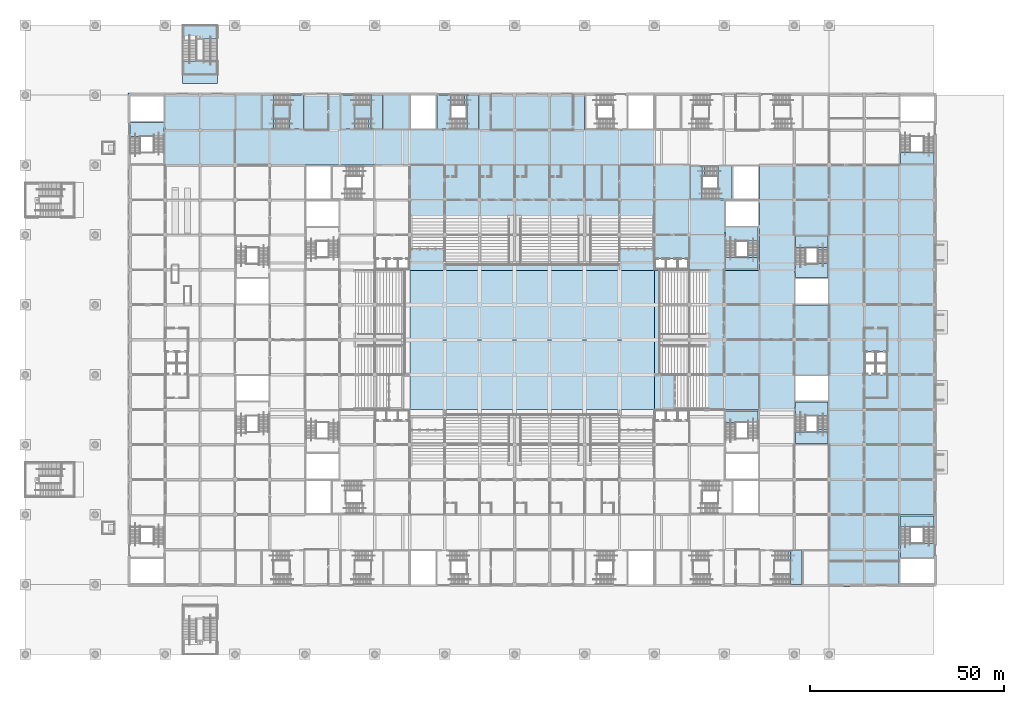
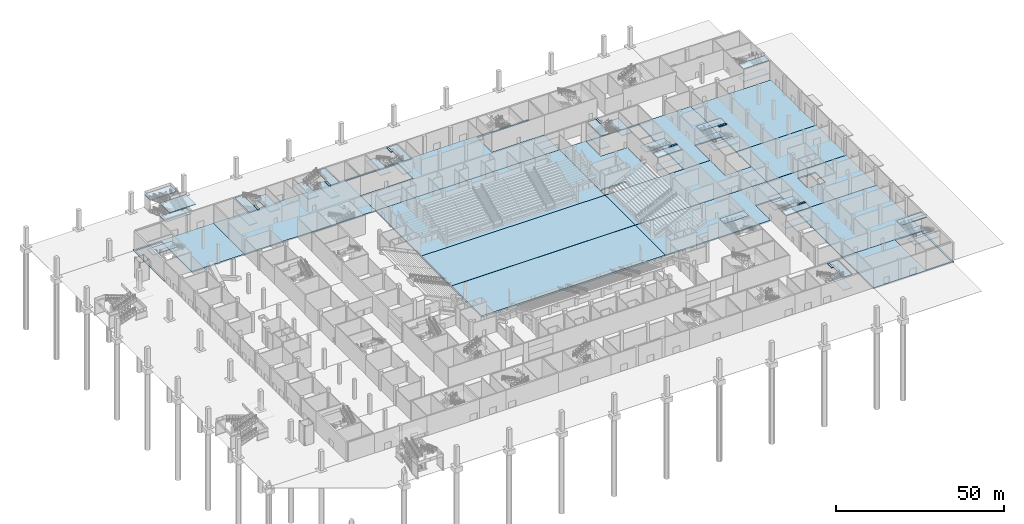
# One storey, part 20 of 92: 55 slabs, 13 elements without a shape of their own.
"""IFC4 building model written with IfcOpenShell, lengths in metres."""

import ifcopenshell
import ifcopenshell.guid

model = None  # the IFC model being written
_history = None  # IfcOwnerHistory: only IFC2X3 demands one
_inside = {}  # id of a spatial element -> (the spatial element, [elements in it])
_under = {}  # id of a project, library or spatial element -> (it, [spatial elements below it])
_declared = {}  # id of a project -> (the project, [libraries it declares])
_typed = {}  # id of a type object -> (the type object, [elements of that type])
_made_of = {}  # id of a material, layer set ... -> (it, [elements and type objects made of it])


def new_model(schema):
    """Start an empty IFC model of exactly this schema.

    Asked for "IFC4X3", IfcOpenShell would pick the latest addendum, in which some entities
    have other attributes; the version numbers below select the first issue.
    IFC2X3 requires an IfcOwnerHistory on every rooted entity: one is made here for all.
    """
    global model, _history
    if schema == "IFC4X3":
        model = ifcopenshell.file(schema_version=(4, 3, 0, 0))
    else:
        model = ifcopenshell.file(schema=schema)
    _inside.clear()
    _under.clear()
    _declared.clear()
    _typed.clear()
    _made_of.clear()
    _history = None
    if model.schema == "IFC2X3":
        org = make("IfcOrganization", Name="unknown")
        user = make(
            "IfcPersonAndOrganization",
            ThePerson=make("IfcPerson", FamilyName="unknown"),
            TheOrganization=org,
        )
        app = make(
            "IfcApplication",
            ApplicationDeveloper=org,
            Version="unknown",
            ApplicationFullName="unknown",
            ApplicationIdentifier="unknown",
        )
        _history = make(
            "IfcOwnerHistory",
            OwningUser=user,
            OwningApplication=app,
            ChangeAction="ADDED",
            CreationDate=0,
        )
    return model


def make(cls, **values):
    """One entity of the class cls with the attributes given. An attribute that is None is left unset."""
    return model.create_entity(
        cls, **{name: value for name, value in values.items() if value is not None}
    )


def rooted(cls, **values):
    """An entity with a GlobalId (a new one), such as an element, a storey or a relation."""
    return make(cls, GlobalId=ifcopenshell.guid.new(), OwnerHistory=_history, **values)


def si_unit(unit_type, name, prefix=None):
    """IfcSIUnit, for example si_unit("LENGTHUNIT", "METRE", prefix="MILLI")."""
    return make("IfcSIUnit", UnitType=unit_type, Prefix=prefix, Name=name)


def assignment(units):
    """IfcUnitAssignment: the units of a project."""
    return None if units is None else make("IfcUnitAssignment", Units=units)


def point(xyz):
    """IfcCartesianPoint."""
    return None if xyz is None else make("IfcCartesianPoint", Coordinates=xyz)


def direction(xyz):
    """IfcDirection."""
    return None if xyz is None else make("IfcDirection", DirectionRatios=xyz)


def frame(location, z_axis=None, x_axis=None):
    """IfcAxis2Placement3D, a coordinate frame: its origin and axes. An axis left out is left unset."""
    return make(
        "IfcAxis2Placement3D",
        Location=point(location),
        Axis=direction(z_axis),
        RefDirection=direction(x_axis),
    )


def origin():
    """The frame at (0, 0, 0) with its axes left unset."""
    return frame((0.0, 0.0, 0.0))


def place(relative_to, where):
    """IfcLocalPlacement: puts the frame where relative to a parent placement (None: the world)."""
    return make(
        "IfcLocalPlacement", PlacementRelTo=relative_to, RelativePlacement=where
    )


def context(
    kind, dimensions, precision=None, world=None, true_north=None, identifier=None
):
    """IfcGeometricRepresentationContext, for example the 3D "Model" context."""
    return make(
        "IfcGeometricRepresentationContext",
        ContextIdentifier=identifier,
        ContextType=kind,
        CoordinateSpaceDimension=dimensions,
        Precision=precision,
        WorldCoordinateSystem=world,
        TrueNorth=true_north,
    )


def subcontext(parent, identifier, kind, view, scale=None):
    """IfcGeometricRepresentationSubContext, for example "Body" below "Model"."""
    return make(
        "IfcGeometricRepresentationSubContext",
        ContextIdentifier=identifier,
        ContextType=kind,
        ParentContext=parent,
        TargetScale=scale,
        TargetView=view,
    )


def project(units=None, contexts=None):
    """IfcProject with its units and contexts."""
    return rooted(
        "IfcProject",
        Name="project",
        RepresentationContexts=contexts,
        UnitsInContext=assignment(units),
    )


def spatial(cls, under=None, at=None, **own):
    """A site, building, storey or space (cls), placed at a placement, below another one or the project."""
    s = rooted(cls, ObjectPlacement=at, **own)
    if under is not None:
        _under.setdefault(under.id(), (under, []))[1].append(s)
    return s


def polyline(points):
    """IfcPolyline through the points."""
    return make("IfcPolyline", Points=[point(p) for p in points])


def outline(outer, holes=None, kind="AREA"):
    """IfcArbitraryClosedProfileDef: a profile drawn as a closed curve; with holes, ...WithVoids."""
    if holes is None:
        return make("IfcArbitraryClosedProfileDef", ProfileType=kind, OuterCurve=outer)
    return make(
        "IfcArbitraryProfileDefWithVoids",
        ProfileType=kind,
        OuterCurve=outer,
        InnerCurves=holes,
    )


def extrude(swept, where, along, depth):
    """IfcExtrudedAreaSolid: the profile swept, set in the frame where, extruded along a direction by depth."""
    return make(
        "IfcExtrudedAreaSolid",
        SweptArea=swept,
        Position=where,
        ExtrudedDirection=direction(along),
        Depth=depth,
    )


def shape(context_of_items, identifier, shape_type, items):
    """IfcShapeRepresentation: the items that make up one representation, for example the "Body"."""
    return make(
        "IfcShapeRepresentation",
        ContextOfItems=context_of_items,
        RepresentationIdentifier=identifier,
        RepresentationType=shape_type,
        Items=items,
    )


def material(Name=None, Category=None):
    """IfcMaterial."""
    return make("IfcMaterial", Name=Name, Category=Category)


def layer(
    of_material, thickness, ventilated=None, Name=None, Category=None, Priority=None
):
    """IfcMaterialLayer: one layer of a wall or slab, of a material (None: an air gap)."""
    return make(
        "IfcMaterialLayer",
        Material=of_material,
        LayerThickness=thickness,
        IsVentilated=ventilated,
        Name=Name,
        Category=Category,
        Priority=Priority,
    )


def layer_set(layers, Name=None):
    """IfcMaterialLayerSet."""
    return make("IfcMaterialLayerSet", MaterialLayers=layers, LayerSetName=Name)


def made_of(thing, what):
    """Note that an element or type object is made of a material, layer set ...; save() writes the relation."""
    if what is not None:
        _made_of.setdefault(what.id(), (what, []))[1].append(thing)
    return thing


def type_object(cls, material=None, **own):
    """A type object (cls), such as IfcWallType, which elements share."""
    return made_of(rooted(cls, **own), material)


def element(
    cls,
    number,
    at=None,
    inside=None,
    cuts=None,
    type_object=None,
    material=None,
    context=None,
    identifier="Body",
    shape_type=None,
    held_by="IfcProductDefinitionShape",
    body=None,
    shapes=None,
    **own,
):
    """One element of the class cls, such as IfcWall. Its Tag is "e" and its number.

    at: its placement. inside: the storey or other place that contains it. cuts: it is an
    opening in that element (IfcRelVoidsElement). A single representation is given by context,
    identifier, shape_type and body (its items); several are given by shapes. held_by: the class
    of the entity that holds the representations. save() writes the other relations.
    """
    e = rooted(cls, Tag="e%d" % number, ObjectPlacement=at, **own)
    if body is not None:
        shapes = [shape(context, identifier, shape_type, body)]
    if shapes is not None:
        e.Representation = make(held_by, Representations=shapes)
    if inside is not None:
        _inside.setdefault(inside.id(), (inside, []))[1].append(e)
    if cuts is not None:
        rooted(
            "IfcRelVoidsElement", RelatingBuildingElement=cuts, RelatedOpeningElement=e
        )
    if type_object is not None:
        _typed.setdefault(type_object.id(), (type_object, []))[1].append(e)
    return made_of(e, material)


def aggregate(whole, parts):
    """IfcRelAggregates: a whole, such as a stair, and the parts it consists of."""
    return rooted("IfcRelAggregates", RelatingObject=whole, RelatedObjects=parts)


def save(model, path):
    """Write the relations noted so far, then the file.

    IfcRelAggregates (storeys below a building ...), IfcRelContainedInSpatialStructure (elements
    in a storey), IfcRelDefinesByType, IfcRelAssociatesMaterial and IfcRelDeclares: one each for
    every whole, place, type object, material and project.
    """
    for whole, parts in _under.values():
        aggregate(whole, parts)
    for where, things in _inside.values():
        rooted(
            "IfcRelContainedInSpatialStructure",
            RelatedElements=things,
            RelatingStructure=where,
        )
    for kind, things in _typed.values():
        rooted("IfcRelDefinesByType", RelatedObjects=things, RelatingType=kind)
    for what, things in _made_of.values():
        rooted("IfcRelAssociatesMaterial", RelatedObjects=things, RelatingMaterial=what)
    for by, libraries in _declared.values():
        rooted("IfcRelDeclares", RelatingContext=by, RelatedDefinitions=libraries)
    model.write(path)


model = new_model("IFC4")

# Units and contexts
model_context = context("Model", 3, precision=1e-05, world=origin(), true_north=direction((0.0, 1.0)))
body_context = subcontext(model_context, "Body", "Model", "MODEL_VIEW")
ifc_project = project(units=[si_unit("LENGTHUNIT", "METRE"), si_unit("AREAUNIT", "SQUARE_METRE"), si_unit("VOLUMEUNIT", "CUBIC_METRE"), si_unit("PLANEANGLEUNIT", "RADIAN"), si_unit("MASSUNIT", "GRAM", prefix="KILO")], contexts=[model_context])

# Site, building, storey
site_placement = place(None, origin())
site = spatial("IfcSite", under=ifc_project, at=site_placement, CompositionType="ELEMENT")
building_placement = place(site_placement, origin())
building = spatial("IfcBuilding", under=site, at=building_placement, Name="Silverbay Arena", CompositionType="ELEMENT")
storey_placement = place(building_placement, origin())
storey = spatial("IfcBuildingStorey", under=building, at=storey_placement, Name="L00", CompositionType="ELEMENT", Elevation=0.0)

# Slabs
ifc_material_1 = material(Name="Concrete Grade C45", Category="concrete")
ifc_layer_1 = layer(ifc_material_1, 0.449951171875)
ifc_layer_set_1 = layer_set([ifc_layer_1], Name="Concrete Grade C45")
slab_type_1 = type_object("IfcSlabType", Name="RC floor slab 450", PredefinedType="FLOOR", material=ifc_layer_set_1)
slab_1_placement = place(storey_placement, frame((0.0, 0.0, -0.449951171875)))
element("IfcSlab", 1, at=slab_1_placement, inside=storey, type_object=slab_type_1, Name="Floor slab L00 unit 5", PredefinedType="FLOOR", context=body_context, shape_type="SweptSolid", body=[
    extrude(outline(polyline([(225.0, 18.0), (234.0, 18.0), (234.0, 35.97509765625), (234.5, 35.97509765625), (234.5, 17.5), (207.0, 17.5), (207.0, 35.97509765625), (225.0, 35.97509765625), (225.0, 18.0)])), origin(), (0.0, 0.0, 1.0), 0.449951171875),
])
slab_2_placement = place(storey_placement, frame((0.0, 0.0, -0.449951171875)))
element("IfcSlab", 2, at=slab_2_placement, inside=storey, type_object=slab_type_1, Name="Floor slab L00 unit 10", PredefinedType="FLOOR", context=body_context, shape_type="SweptSolid", body=[
    extrude(outline(polyline([(225.0, 36.0), (225.0, 35.97509765625), (207.0, 35.97509765625), (207.0, 54.0), (206.699951171875, 54.0), (206.699951171875, 54.60009765625), (207.0, 54.60009765625), (207.0, 63.10009765625), (234.5, 63.10009765625), (234.5, 35.97509765625), (234.0, 35.97509765625), (234.0, 36.0), (225.0, 36.0)])), origin(), (0.0, 0.0, 1.0), 0.449951171875),
])
slab_3_placement = place(storey_placement, frame((0.0, 0.0, -0.449951171875)))
element("IfcSlab", 3, at=slab_3_placement, inside=storey, type_object=slab_type_1, Name="Floor slab L00 unit 14", PredefinedType="FLOOR", context=body_context, shape_type="SweptSolid", body=[
    extrude(outline(polyline([(198.300048828125, 64.699951171875), (198.0, 64.699951171875), (198.0, 63.10009765625), (162.0, 63.10009765625), (162.0, 81.0), (207.0, 81.0), (207.0, 72.0), (198.0, 72.0), (198.0, 65.60009765625), (198.300048828125, 65.60009765625), (198.300048828125, 64.699951171875)])), origin(), (0.0, 0.0, 1.0), 0.449951171875),
])
slab_4_placement = place(storey_placement, frame((0.0, 0.0, -0.449951171875)))
element("IfcSlab", 4, at=slab_4_placement, inside=storey, type_object=slab_type_1, Name="Floor slab L00 unit 14 B", PredefinedType="FLOOR", context=body_context, shape_type="SweptSolid", body=[
    extrude(outline(polyline([(162.0, 98.89990234375), (198.0, 98.89990234375), (198.0, 97.300048828125), (198.300048828125, 97.300048828125), (198.300048828125, 96.39990234375), (198.0, 96.39990234375), (198.0, 90.0), (207.0, 90.0), (207.0, 81.050048828125), (162.0, 81.050048828125), (162.0, 98.89990234375)])), origin(), (0.0, 0.0, 1.0), 0.449951171875),
])
slab_5_placement = place(storey_placement, frame((0.0, 0.0, -0.449951171875)))
element("IfcSlab", 5, at=slab_5_placement, inside=storey, type_object=slab_type_1, Name="Floor slab L00 unit 15", PredefinedType="FLOOR", context=body_context, shape_type="SweptSolid", body=[
    extrude(outline(polyline([(207.0, 90.0), (206.699951171875, 90.0), (206.699951171875, 90.60009765625), (207.0, 90.60009765625), (207.0, 96.39990234375), (206.699951171875, 96.39990234375), (206.699951171875, 97.300048828125), (207.0, 97.300048828125), (207.0, 98.89990234375), (234.5, 98.89990234375), (234.5, 81.050048828125), (207.0, 81.050048828125), (207.0, 90.0)])), origin(), (0.0, 0.0, 1.0), 0.449951171875),
])
slab_6_placement = place(storey_placement, frame((0.0, 0.0, -0.449951171875)))
element("IfcSlab", 6, at=slab_6_placement, inside=storey, type_object=slab_type_1, Name="Floor slab L00 unit 15 B", PredefinedType="FLOOR", context=body_context, shape_type="SweptSolid", body=[
    extrude(outline(polyline([(206.699951171875, 65.60009765625), (207.0, 65.60009765625), (207.0, 71.39990234375), (206.699951171875, 71.39990234375), (206.699951171875, 72.0), (207.0, 72.0), (207.0, 81.0), (234.5, 81.0), (234.5, 63.10009765625), (207.0, 63.10009765625), (207.0, 64.699951171875), (206.699951171875, 64.699951171875), (206.699951171875, 65.60009765625)]), holes=[polyline([(219.35009765625, 72.25), (219.35009765625, 72.0), (222.0, 72.0), (222.0, 78.0), (219.35009765625, 78.0), (219.35009765625, 77.75), (218.64990234375, 77.75), (218.64990234375, 78.0), (216.0, 78.0), (216.0, 72.0), (218.64990234375, 72.0), (218.64990234375, 72.25), (219.35009765625, 72.25)])]), origin(), (0.0, 0.0, 1.0), 0.449951171875),
])
slab_7_placement = place(storey_placement, frame((0.0, 0.0, -0.449951171875)))
element("IfcSlab", 7, at=slab_7_placement, inside=storey, type_object=slab_type_1, Name="Floor slab L00 unit 18", PredefinedType="FLOOR", context=body_context, shape_type="SweptSolid", body=[
    extrude(outline(polyline([(99.0, 126.02490234375), (162.0, 126.02490234375), (162.0, 98.89990234375), (99.0, 98.89990234375), (99.0, 126.02490234375)])), origin(), (0.0, 0.0, 1.0), 0.449951171875),
])
slab_8_placement = place(storey_placement, frame((0.0, 0.0, -0.449951171875)))
element("IfcSlab", 8, at=slab_8_placement, inside=storey, type_object=slab_type_1, Name="Floor slab L00 unit 19", PredefinedType="FLOOR", context=body_context, shape_type="SweptSolid", body=[
    extrude(outline(polyline([(162.5, 99.25), (162.5, 99.0), (164.64990234375, 99.0), (164.64990234375, 99.25), (165.35009765625, 99.25), (165.35009765625, 99.0), (167.64990234375, 99.0), (167.64990234375, 99.25), (168.35009765625, 99.25), (168.35009765625, 99.0), (171.0, 99.0), (171.0, 102.0), (168.35009765625, 102.0), (168.35009765625, 101.75), (167.64990234375, 101.75), (167.64990234375, 102.0), (165.35009765625, 102.0), (165.35009765625, 101.75), (164.64990234375, 101.75), (164.64990234375, 102.0), (162.5, 102.0), (162.5, 101.75), (162.0, 101.75), (162.0, 126.02490234375), (207.0, 126.02490234375), (207.0, 108.0), (198.0, 108.0), (198.0, 98.89990234375), (162.0, 98.89990234375), (162.0, 99.25), (162.5, 99.25)]), holes=[polyline([(180.300048828125, 110.60009765625), (180.300048828125, 109.699951171875), (180.0, 109.699951171875), (180.0, 99.0), (189.0, 99.0), (189.0, 109.699951171875), (188.699951171875, 109.699951171875), (188.699951171875, 110.60009765625), (189.0, 110.60009765625), (189.0, 116.39990234375), (188.699951171875, 116.39990234375), (188.699951171875, 117.300048828125), (189.0, 117.300048828125), (189.0, 126.0), (182.60009765625, 126.0), (182.60009765625, 125.699951171875), (181.699951171875, 125.699951171875), (181.699951171875, 126.0), (171.0, 126.0), (171.0, 117.0), (180.0, 117.0), (180.0, 117.300048828125), (180.300048828125, 117.300048828125), (180.300048828125, 116.39990234375), (180.0, 116.39990234375), (180.0, 110.60009765625), (180.300048828125, 110.60009765625)])]), origin(), (0.0, 0.0, 1.0), 0.449951171875),
])
slab_9_placement = place(storey_placement, frame((0.0, 0.0, -0.449951171875)))
element("IfcSlab", 9, at=slab_9_placement, inside=storey, type_object=slab_type_1, Name="Floor slab L00 unit 20", PredefinedType="FLOOR", context=body_context, shape_type="SweptSolid", body=[
    extrude(outline(polyline([(206.699951171875, 108.0), (207.0, 108.0), (207.0, 126.02490234375), (225.0, 126.02490234375), (225.0, 126.0), (234.0, 126.0), (234.0, 126.02490234375), (234.5, 126.02490234375), (234.5, 98.89990234375), (207.0, 98.89990234375), (207.0, 107.39990234375), (206.699951171875, 107.39990234375), (206.699951171875, 108.0)])), origin(), (0.0, 0.0, 1.0), 0.449951171875),
])
slab_10_placement = place(storey_placement, frame((0.0, 0.0, -0.449951171875)))
element("IfcSlab", 10, at=slab_10_placement, inside=storey, type_object=slab_type_1, Name="Floor slab L00 unit 21", PredefinedType="FLOOR", context=body_context, shape_type="SweptSolid", body=[
    extrude(outline(polyline([(26.5, 126.02490234375), (26.5, 144.5), (54.0, 144.5), (54.0, 126.02490234375), (36.0, 126.02490234375), (36.0, 144.0), (27.0, 144.0), (27.0, 126.02490234375), (26.5, 126.02490234375)])), origin(), (0.0, 0.0, 1.0), 0.449951171875),
])
slab_11_placement = place(storey_placement, frame((0.0, 0.0, -0.449951171875)))
element("IfcSlab", 11, at=slab_11_placement, inside=storey, type_object=slab_type_1, Name="Floor slab L00 unit 22", PredefinedType="FLOOR", context=body_context, shape_type="SweptSolid", body=[
    extrude(outline(polyline([(99.0, 126.02490234375), (54.0, 126.02490234375), (54.0, 144.5), (99.0, 144.5), (99.0, 126.02490234375)])), origin(), (0.0, 0.0, 1.0), 0.449951171875),
])
slab_12_placement = place(storey_placement, frame((0.0, 0.0, -0.449951171875)))
element("IfcSlab", 12, at=slab_12_placement, inside=storey, type_object=slab_type_1, Name="Floor slab L00 unit 23", PredefinedType="FLOOR", context=body_context, shape_type="SweptSolid", body=[
    extrude(outline(polyline([(117.0, 135.0), (117.0, 144.0), (99.0, 144.0), (99.0, 144.5), (162.0, 144.5), (162.0, 144.0), (144.0, 144.0), (144.0, 135.0), (162.0, 135.0), (162.0, 126.02490234375), (99.0, 126.02490234375), (99.0, 135.0), (117.0, 135.0)])), origin(), (0.0, 0.0, 1.0), 0.449951171875),
])
ifc_material_2 = material(Name="Concrete Grade C45", Category="concrete")
ifc_layer_2 = layer(ifc_material_2, 0.60009765625)
ifc_layer_set_2 = layer_set([ifc_layer_2], Name="Concrete Grade C45")
slab_type_2 = type_object("IfcSlabType", Name="RC floor slab 600", PredefinedType="FLOOR", material=ifc_layer_set_2)
slab_13_placement = place(storey_placement, frame((0.0, 0.0, -0.60009765625)))
element("IfcSlab", 13, at=slab_13_placement, inside=storey, type_object=slab_type_2, Name="Floor slab L00 unit 13", PredefinedType="FLOOR", context=body_context, shape_type="SweptSolid", body=[
    extrude(outline(polyline([(99.0, 81.0), (162.0, 81.0), (162.0, 63.10009765625), (99.0, 63.10009765625), (99.0, 81.0)])), origin(), (0.0, 0.0, 1.0), 0.60009765625),
])
slab_14_placement = place(storey_placement, frame((0.0, 0.0, -0.60009765625)))
element("IfcSlab", 14, at=slab_14_placement, inside=storey, type_object=slab_type_2, Name="Floor slab L00 unit 13 B", PredefinedType="FLOOR", context=body_context, shape_type="SweptSolid", body=[
    extrude(outline(polyline([(99.0, 98.89990234375), (162.0, 98.89990234375), (162.0, 81.050048828125), (99.0, 81.050048828125), (99.0, 98.89990234375)])), origin(), (0.0, 0.0, 1.0), 0.60009765625),
])

# Stair, slab
ifc_material_3 = material(Name="Concrete Grade C45", Category="concrete")
stair_type_1 = type_object("IfcStairType", Name="Stair 2600 wide 48 risers 145.8 x 300", PredefinedType="HALF_TURN_STAIR", material=ifc_material_3)
stair_1_placement = place(storey_placement, origin())
stair_1 = element("IfcStair", 15, at=stair_1_placement, inside=storey, type_object=stair_type_1, Name="Stair ST-N1 L00 to L01", PredefinedType="HALF_TURN_STAIR")
ifc_material_4 = material(Name="Concrete Grade C45", Category="concrete")
ifc_layer_3 = layer(ifc_material_4, 0.25)
ifc_layer_set_3 = layer_set([ifc_layer_3], Name="Concrete Grade C45")
slab_type_3 = type_object("IfcSlabType", Name="Stair arrival platform RC 250", PredefinedType="FLOOR", material=ifc_layer_set_3)
slab_15_placement = place(storey_placement, frame((0.0, 0.0, 6.75)))
slab_15 = element("IfcSlab", 16, at=slab_15_placement, type_object=slab_type_3, Name="Stair ST-N1 L00 to L01 arrival platform 4", PredefinedType="FLOOR", context=body_context, shape_type="SweptSolid", body=[
    extrude(outline(polyline([(88.39990234375, 135.300048828125), (89.056884765625, 135.300048828125), (89.056884765625, 137.89990234375), (88.39990234375, 137.89990234375), (88.39990234375, 135.300048828125)])), origin(), (0.0, 0.0, 1.0), 0.25),
])

stair_2_placement = place(storey_placement, origin())
stair_2 = element("IfcStair", 17, at=stair_2_placement, inside=storey, type_object=stair_type_1, Name="Stair ST-N2 L00 to L01", PredefinedType="HALF_TURN_STAIR")
slab_16_placement = place(storey_placement, frame((0.0, 0.0, 6.75)))
slab_16 = element("IfcSlab", 18, at=slab_16_placement, type_object=slab_type_3, Name="Stair ST-N2 L00 to L01 arrival platform 4", PredefinedType="FLOOR", context=body_context, shape_type="SweptSolid", body=[
    extrude(outline(polyline([(113.10009765625, 141.39990234375), (113.7568359375, 141.39990234375), (113.7568359375, 144.0), (113.10009765625, 144.0), (113.10009765625, 141.39990234375)])), origin(), (0.0, 0.0, 1.0), 0.25),
])

stair_3_placement = place(storey_placement, origin())
stair_3 = element("IfcStair", 19, at=stair_3_placement, inside=storey, type_object=stair_type_1, Name="Stair ST-S6 L00 to L01", PredefinedType="HALF_TURN_STAIR")
slab_17_placement = place(storey_placement, frame((0.0, 0.0, 6.75)))
slab_17 = element("IfcSlab", 20, at=slab_17_placement, type_object=slab_type_3, Name="Stair ST-S6 L00 to L01 arrival platform 4", PredefinedType="FLOOR", context=body_context, shape_type="SweptSolid", body=[
    extrude(outline(polyline([(196.39990234375, 26.699951171875), (197.056884765625, 26.699951171875), (197.056884765625, 24.10009765625), (196.39990234375, 24.10009765625), (196.39990234375, 26.699951171875)])), origin(), (0.0, 0.0, 1.0), 0.25),
])

stair_4_placement = place(storey_placement, origin())
stair_4 = element("IfcStair", 21, at=stair_4_placement, inside=storey, type_object=stair_type_1, Name="Stair ST-N5 L00 to L01", PredefinedType="HALF_TURN_STAIR")
slab_18_placement = place(storey_placement, frame((0.0, 0.0, 6.75)))
slab_18 = element("IfcSlab", 22, at=slab_18_placement, type_object=slab_type_3, Name="Stair ST-N5 L00 to L01 arrival platform 4", PredefinedType="FLOOR", context=body_context, shape_type="SweptSolid", body=[
    extrude(outline(polyline([(64.60009765625, 135.300048828125), (63.943115234375, 135.300048828125), (63.943115234375, 137.89990234375), (64.60009765625, 137.89990234375), (64.60009765625, 135.300048828125)])), origin(), (0.0, 0.0, 1.0), 0.25),
])

stair_5_placement = place(storey_placement, origin())
stair_5 = element("IfcStair", 23, at=stair_5_placement, inside=storey, type_object=stair_type_1, Name="Stair ST-E1 L00 to L01", PredefinedType="HALF_TURN_STAIR")
slab_19_placement = place(storey_placement, frame((0.0, 0.0, 6.75)))
slab_19 = element("IfcSlab", 24, at=slab_19_placement, type_object=slab_type_3, Name="Stair ST-E1 L00 to L01 arrival platform 4", PredefinedType="FLOOR", context=body_context, shape_type="SweptSolid", body=[
    extrude(outline(polyline([(204.10009765625, 57.89990234375), (204.10009765625, 57.2431640625), (206.699951171875, 57.2431640625), (206.699951171875, 57.89990234375), (204.10009765625, 57.89990234375)])), origin(), (0.0, 0.0, 1.0), 0.25),
])

stair_6_placement = place(storey_placement, origin())
stair_6 = element("IfcStair", 25, at=stair_6_placement, inside=storey, type_object=stair_type_1, Name="Stair ST-E2 L00 to L01", PredefinedType="HALF_TURN_STAIR")
slab_20_placement = place(storey_placement, frame((0.0, 0.0, 6.75)))
slab_20 = element("IfcSlab", 26, at=slab_20_placement, type_object=slab_type_3, Name="Stair ST-E2 L00 to L01 arrival platform 4", PredefinedType="FLOOR", context=body_context, shape_type="SweptSolid", body=[
    extrude(outline(polyline([(204.10009765625, 104.10009765625), (204.10009765625, 104.7568359375), (206.699951171875, 104.7568359375), (206.699951171875, 104.10009765625), (204.10009765625, 104.10009765625)])), origin(), (0.0, 0.0, 1.0), 0.25),
])

stair_7_placement = place(storey_placement, origin())
stair_7 = element("IfcStair", 27, at=stair_7_placement, inside=storey, type_object=stair_type_1, Name="Stair ST-NE1 L00 to L01", PredefinedType="HALF_TURN_STAIR")
slab_21_placement = place(storey_placement, frame((0.0, 0.0, 6.75)))
slab_21 = element("IfcSlab", 28, at=slab_21_placement, type_object=slab_type_3, Name="Stair ST-NE1 L00 to L01 arrival platform 4", PredefinedType="FLOOR", context=body_context, shape_type="SweptSolid", body=[
    extrude(outline(polyline([(174.89990234375, 123.10009765625), (174.2431640625, 123.10009765625), (174.2431640625, 125.699951171875), (174.89990234375, 125.699951171875), (174.89990234375, 123.10009765625)])), origin(), (0.0, 0.0, 1.0), 0.25),
])

stair_8_placement = place(storey_placement, origin())
stair_8 = element("IfcStair", 29, at=stair_8_placement, inside=storey, type_object=stair_type_1, Name="Stair ST-NE2 L00 to L01", PredefinedType="HALF_TURN_STAIR")
slab_22_placement = place(storey_placement, frame((0.0, 0.0, 6.75)))
slab_22 = element("IfcSlab", 30, at=slab_22_placement, type_object=slab_type_3, Name="Stair ST-NE2 L00 to L01 arrival platform 4", PredefinedType="FLOOR", context=body_context, shape_type="SweptSolid", body=[
    extrude(outline(polyline([(186.10009765625, 102.89990234375), (186.10009765625, 102.2431640625), (188.699951171875, 102.2431640625), (188.699951171875, 102.89990234375), (186.10009765625, 102.89990234375)])), origin(), (0.0, 0.0, 1.0), 0.25),
])

# Slab
ifc_material_5 = material(Name="Concrete Grade C45", Category="concrete")
ifc_layer_4 = layer(ifc_material_5, 0.25)
ifc_layer_set_4 = layer_set([ifc_layer_4], Name="Concrete Grade C45")
slab_type_4 = type_object("IfcSlabType", Name="Stair landing RC 250", PredefinedType="LANDING", material=ifc_layer_set_4)
slab_23_placement = place(storey_placement, frame((0.0, 0.0, 2.083251953125)))
slab_23 = element("IfcSlab", 31, at=slab_23_placement, type_object=slab_type_4, Name="Stair ST-N1 L00 to L01 landing 1", PredefinedType="LANDING", context=body_context, shape_type="SweptSolid", body=[
    extrude(outline(polyline([(89.056884765625, 135.300048828125), (92.0, 135.300048828125), (92.0, 144.0), (89.056884765625, 144.0), (89.056884765625, 135.300048828125)])), origin(), (0.0, 0.0, 1.0), 0.25),
])

slab_24_placement = place(storey_placement, frame((0.0, 0.0, 4.416748046875)))
slab_24 = element("IfcSlab", 32, at=slab_24_placement, type_object=slab_type_4, Name="Stair ST-N1 L00 to L01 landing 2", PredefinedType="LANDING", context=body_context, shape_type="SweptSolid", body=[
    extrude(outline(polyline([(81.300048828125, 135.300048828125), (84.89990234375, 135.300048828125), (84.89990234375, 144.0), (81.300048828125, 144.0), (81.300048828125, 135.300048828125)])), origin(), (0.0, 0.0, 1.0), 0.25),
])

slab_25_placement = place(storey_placement, frame((0.0, 0.0, 6.75)))
slab_25 = element("IfcSlab", 33, at=slab_25_placement, type_object=slab_type_4, Name="Stair ST-N1 L00 to L01 landing 3", PredefinedType="LANDING", context=body_context, shape_type="SweptSolid", body=[
    extrude(outline(polyline([(89.056884765625, 135.300048828125), (92.0, 135.300048828125), (92.0, 144.0), (89.056884765625, 144.0), (89.056884765625, 135.300048828125)])), origin(), (0.0, 0.0, 1.0), 0.25),
])

aggregate(stair_1, [slab_23, slab_24, slab_25, slab_15])

slab_26_placement = place(storey_placement, frame((0.0, 0.0, 2.083251953125)))
slab_26 = element("IfcSlab", 34, at=slab_26_placement, type_object=slab_type_4, Name="Stair ST-N2 L00 to L01 landing 1", PredefinedType="LANDING", context=body_context, shape_type="SweptSolid", body=[
    extrude(outline(polyline([(113.7568359375, 135.300048828125), (116.699951171875, 135.300048828125), (116.699951171875, 144.0), (113.7568359375, 144.0), (113.7568359375, 135.300048828125)])), origin(), (0.0, 0.0, 1.0), 0.25),
])

slab_27_placement = place(storey_placement, frame((0.0, 0.0, 4.416748046875)))
slab_27 = element("IfcSlab", 35, at=slab_27_placement, type_object=slab_type_4, Name="Stair ST-N2 L00 to L01 landing 2", PredefinedType="LANDING", context=body_context, shape_type="SweptSolid", body=[
    extrude(outline(polyline([(106.0, 135.300048828125), (109.60009765625, 135.300048828125), (109.60009765625, 144.0), (106.0, 144.0), (106.0, 135.300048828125)])), origin(), (0.0, 0.0, 1.0), 0.25),
])

slab_28_placement = place(storey_placement, frame((0.0, 0.0, 6.75)))
slab_28 = element("IfcSlab", 36, at=slab_28_placement, type_object=slab_type_4, Name="Stair ST-N2 L00 to L01 landing 3", PredefinedType="LANDING", context=body_context, shape_type="SweptSolid", body=[
    extrude(outline(polyline([(113.7568359375, 135.300048828125), (116.699951171875, 135.300048828125), (116.699951171875, 144.0), (113.7568359375, 144.0), (113.7568359375, 135.300048828125)])), origin(), (0.0, 0.0, 1.0), 0.25),
])

aggregate(stair_2, [slab_26, slab_27, slab_28, slab_16])

slab_29_placement = place(storey_placement, frame((0.0, 0.0, 2.083251953125)))
slab_29 = element("IfcSlab", 37, at=slab_29_placement, type_object=slab_type_4, Name="Stair ST-S6 L00 to L01 landing 1", PredefinedType="LANDING", context=body_context, shape_type="SweptSolid", body=[
    extrude(outline(polyline([(197.056884765625, 26.699951171875), (200.0, 26.699951171875), (200.0, 18.0), (197.056884765625, 18.0), (197.056884765625, 26.699951171875)])), origin(), (0.0, 0.0, 1.0), 0.25),
])

slab_30_placement = place(storey_placement, frame((0.0, 0.0, 6.75)))
slab_30 = element("IfcSlab", 38, at=slab_30_placement, type_object=slab_type_4, Name="Stair ST-S6 L00 to L01 landing 3", PredefinedType="LANDING", context=body_context, shape_type="SweptSolid", body=[
    extrude(outline(polyline([(197.056884765625, 26.699951171875), (200.0, 26.699951171875), (200.0, 18.0), (197.056884765625, 18.0), (197.056884765625, 26.699951171875)])), origin(), (0.0, 0.0, 1.0), 0.25),
])

aggregate(stair_3, [slab_29, slab_30, slab_17])

slab_31_placement = place(storey_placement, frame((0.0, 0.0, 2.083251953125)))
slab_31 = element("IfcSlab", 39, at=slab_31_placement, type_object=slab_type_4, Name="Stair ST-N5 L00 to L01 landing 1", PredefinedType="LANDING", context=body_context, shape_type="SweptSolid", body=[
    extrude(outline(polyline([(63.943115234375, 135.300048828125), (61.0, 135.300048828125), (61.0, 144.0), (63.943115234375, 144.0), (63.943115234375, 135.300048828125)])), origin(), (0.0, 0.0, 1.0), 0.25),
])

slab_32_placement = place(storey_placement, frame((0.0, 0.0, 4.416748046875)))
slab_32 = element("IfcSlab", 40, at=slab_32_placement, type_object=slab_type_4, Name="Stair ST-N5 L00 to L01 landing 2", PredefinedType="LANDING", context=body_context, shape_type="SweptSolid", body=[
    extrude(outline(polyline([(71.699951171875, 135.300048828125), (68.10009765625, 135.300048828125), (68.10009765625, 144.0), (71.699951171875, 144.0), (71.699951171875, 135.300048828125)])), origin(), (0.0, 0.0, 1.0), 0.25),
])

slab_33_placement = place(storey_placement, frame((0.0, 0.0, 6.75)))
slab_33 = element("IfcSlab", 41, at=slab_33_placement, type_object=slab_type_4, Name="Stair ST-N5 L00 to L01 landing 3", PredefinedType="LANDING", context=body_context, shape_type="SweptSolid", body=[
    extrude(outline(polyline([(63.943115234375, 135.300048828125), (61.0, 135.300048828125), (61.0, 144.0), (63.943115234375, 144.0), (63.943115234375, 135.300048828125)])), origin(), (0.0, 0.0, 1.0), 0.25),
])

aggregate(stair_4, [slab_31, slab_32, slab_33, slab_18])

slab_34_placement = place(storey_placement, frame((0.0, 0.0, 2.083251953125)))
slab_34 = element("IfcSlab", 42, at=slab_34_placement, type_object=slab_type_4, Name="Stair ST-E1 L00 to L01 landing 1", PredefinedType="LANDING", context=body_context, shape_type="SweptSolid", body=[
    extrude(outline(polyline([(198.300048828125, 57.2431640625), (198.300048828125, 54.300048828125), (206.699951171875, 54.300048828125), (206.699951171875, 57.2431640625), (198.300048828125, 57.2431640625)])), origin(), (0.0, 0.0, 1.0), 0.25),
])

slab_35_placement = place(storey_placement, frame((0.0, 0.0, 4.416748046875)))
slab_35 = element("IfcSlab", 43, at=slab_35_placement, type_object=slab_type_4, Name="Stair ST-E1 L00 to L01 landing 2", PredefinedType="LANDING", context=body_context, shape_type="SweptSolid", body=[
    extrude(outline(polyline([(198.300048828125, 65.0), (198.300048828125, 61.39990234375), (206.699951171875, 61.39990234375), (206.699951171875, 65.0), (198.300048828125, 65.0)])), origin(), (0.0, 0.0, 1.0), 0.25),
])

slab_36_placement = place(storey_placement, frame((0.0, 0.0, 6.75)))
slab_36 = element("IfcSlab", 44, at=slab_36_placement, type_object=slab_type_4, Name="Stair ST-E1 L00 to L01 landing 3", PredefinedType="LANDING", context=body_context, shape_type="SweptSolid", body=[
    extrude(outline(polyline([(198.300048828125, 57.2431640625), (198.300048828125, 54.300048828125), (206.699951171875, 54.300048828125), (206.699951171875, 57.2431640625), (198.300048828125, 57.2431640625)])), origin(), (0.0, 0.0, 1.0), 0.25),
])

aggregate(stair_5, [slab_34, slab_35, slab_36, slab_19])

slab_37_placement = place(storey_placement, frame((0.0, 0.0, 2.083251953125)))
slab_37 = element("IfcSlab", 45, at=slab_37_placement, type_object=slab_type_4, Name="Stair ST-E2 L00 to L01 landing 1", PredefinedType="LANDING", context=body_context, shape_type="SweptSolid", body=[
    extrude(outline(polyline([(198.300048828125, 104.7568359375), (198.300048828125, 107.699951171875), (206.699951171875, 107.699951171875), (206.699951171875, 104.7568359375), (198.300048828125, 104.7568359375)])), origin(), (0.0, 0.0, 1.0), 0.25),
])

slab_38_placement = place(storey_placement, frame((0.0, 0.0, 4.416748046875)))
slab_38 = element("IfcSlab", 46, at=slab_38_placement, type_object=slab_type_4, Name="Stair ST-E2 L00 to L01 landing 2", PredefinedType="LANDING", context=body_context, shape_type="SweptSolid", body=[
    extrude(outline(polyline([(198.300048828125, 97.0), (198.300048828125, 100.60009765625), (206.699951171875, 100.60009765625), (206.699951171875, 97.0), (198.300048828125, 97.0)])), origin(), (0.0, 0.0, 1.0), 0.25),
])

slab_39_placement = place(storey_placement, frame((0.0, 0.0, 6.75)))
slab_39 = element("IfcSlab", 47, at=slab_39_placement, type_object=slab_type_4, Name="Stair ST-E2 L00 to L01 landing 3", PredefinedType="LANDING", context=body_context, shape_type="SweptSolid", body=[
    extrude(outline(polyline([(198.300048828125, 104.7568359375), (198.300048828125, 107.699951171875), (206.699951171875, 107.699951171875), (206.699951171875, 104.7568359375), (198.300048828125, 104.7568359375)])), origin(), (0.0, 0.0, 1.0), 0.25),
])

aggregate(stair_6, [slab_37, slab_38, slab_39, slab_20])

# Stair, slab
stair_9_placement = place(storey_placement, origin())
stair_9 = element("IfcStair", 48, at=stair_9_placement, inside=storey, type_object=stair_type_1, Name="Stair ST-SE2 L00 to L01", PredefinedType="HALF_TURN_STAIR")
slab_40_placement = place(storey_placement, frame((0.0, 0.0, 6.75)))
slab_40 = element("IfcSlab", 49, at=slab_40_placement, type_object=slab_type_4, Name="Stair ST-SE2 L00 to L01 landing 3", PredefinedType="LANDING", context=body_context, shape_type="SweptSolid", body=[
    extrude(outline(polyline([(180.300048828125, 59.7568359375), (180.300048828125, 62.699951171875), (188.699951171875, 62.699951171875), (188.699951171875, 59.7568359375), (180.300048828125, 59.7568359375)])), origin(), (0.0, 0.0, 1.0), 0.25),
])
aggregate(stair_9, [slab_40])

# Slab
slab_41_placement = place(storey_placement, frame((0.0, 0.0, 2.083251953125)))
slab_41 = element("IfcSlab", 50, at=slab_41_placement, type_object=slab_type_4, Name="Stair ST-NE1 L00 to L01 landing 1", PredefinedType="LANDING", context=body_context, shape_type="SweptSolid", body=[
    extrude(outline(polyline([(174.2431640625, 117.300048828125), (171.300048828125, 117.300048828125), (171.300048828125, 125.699951171875), (174.2431640625, 125.699951171875), (174.2431640625, 117.300048828125)])), origin(), (0.0, 0.0, 1.0), 0.25),
])

slab_42_placement = place(storey_placement, frame((0.0, 0.0, 4.416748046875)))
slab_42 = element("IfcSlab", 51, at=slab_42_placement, type_object=slab_type_4, Name="Stair ST-NE1 L00 to L01 landing 2", PredefinedType="LANDING", context=body_context, shape_type="SweptSolid", body=[
    extrude(outline(polyline([(182.0, 117.300048828125), (178.39990234375, 117.300048828125), (178.39990234375, 125.699951171875), (182.0, 125.699951171875), (182.0, 117.300048828125)])), origin(), (0.0, 0.0, 1.0), 0.25),
])

slab_43_placement = place(storey_placement, frame((0.0, 0.0, 6.75)))
slab_43 = element("IfcSlab", 52, at=slab_43_placement, type_object=slab_type_4, Name="Stair ST-NE1 L00 to L01 landing 3", PredefinedType="LANDING", context=body_context, shape_type="SweptSolid", body=[
    extrude(outline(polyline([(174.2431640625, 117.300048828125), (171.300048828125, 117.300048828125), (171.300048828125, 125.699951171875), (174.2431640625, 125.699951171875), (174.2431640625, 117.300048828125)])), origin(), (0.0, 0.0, 1.0), 0.25),
])

aggregate(stair_7, [slab_41, slab_42, slab_43, slab_21])

slab_44_placement = place(storey_placement, frame((0.0, 0.0, 2.083251953125)))
slab_44 = element("IfcSlab", 53, at=slab_44_placement, type_object=slab_type_4, Name="Stair ST-NE2 L00 to L01 landing 1", PredefinedType="LANDING", context=body_context, shape_type="SweptSolid", body=[
    extrude(outline(polyline([(180.300048828125, 102.2431640625), (180.300048828125, 99.300048828125), (188.699951171875, 99.300048828125), (188.699951171875, 102.2431640625), (180.300048828125, 102.2431640625)])), origin(), (0.0, 0.0, 1.0), 0.25),
])

slab_45_placement = place(storey_placement, frame((0.0, 0.0, 4.416748046875)))
slab_45 = element("IfcSlab", 54, at=slab_45_placement, type_object=slab_type_4, Name="Stair ST-NE2 L00 to L01 landing 2", PredefinedType="LANDING", context=body_context, shape_type="SweptSolid", body=[
    extrude(outline(polyline([(180.300048828125, 110.0), (180.300048828125, 106.39990234375), (188.699951171875, 106.39990234375), (188.699951171875, 110.0), (180.300048828125, 110.0)])), origin(), (0.0, 0.0, 1.0), 0.25),
])

slab_46_placement = place(storey_placement, frame((0.0, 0.0, 6.75)))
slab_46 = element("IfcSlab", 55, at=slab_46_placement, type_object=slab_type_4, Name="Stair ST-NE2 L00 to L01 landing 3", PredefinedType="LANDING", context=body_context, shape_type="SweptSolid", body=[
    extrude(outline(polyline([(180.300048828125, 102.2431640625), (180.300048828125, 99.300048828125), (188.699951171875, 99.300048828125), (188.699951171875, 102.2431640625), (180.300048828125, 102.2431640625)])), origin(), (0.0, 0.0, 1.0), 0.25),
])

aggregate(stair_8, [slab_44, slab_45, slab_46, slab_22])

# Stair, slab
stair_10_placement = place(storey_placement, origin())
stair_10 = element("IfcStair", 56, at=stair_10_placement, inside=storey, type_object=stair_type_1, Name="Stair ST-WG2 L00 to L01", PredefinedType="HALF_TURN_STAIR")
slab_47_placement = place(storey_placement, frame((0.0, 0.0, 4.416748046875)))
slab_47 = element("IfcSlab", 57, at=slab_47_placement, type_object=slab_type_4, Name="Stair ST-WG2 L00 to L01 landing 2", PredefinedType="LANDING", context=body_context, shape_type="SweptSolid", body=[
    extrude(outline(polyline([(35.699951171875, 137.0), (35.699951171875, 133.39990234375), (27.0, 133.39990234375), (27.0, 137.0), (35.699951171875, 137.0)])), origin(), (0.0, 0.0, 1.0), 0.25),
])
aggregate(stair_10, [slab_47])

# Stair, slabs
stair_11_placement = place(storey_placement, origin())
stair_11 = element("IfcStair", 58, at=stair_11_placement, inside=storey, type_object=stair_type_1, Name="Stair ST-EG1 L00 to L01", PredefinedType="HALF_TURN_STAIR")
slab_48_placement = place(storey_placement, frame((0.0, 0.0, 2.083251953125)))
slab_48 = element("IfcSlab", 59, at=slab_48_placement, type_object=slab_type_4, Name="Stair ST-EG1 L00 to L01 landing 1", PredefinedType="LANDING", context=body_context, shape_type="SweptSolid", body=[
    extrude(outline(polyline([(225.300048828125, 32.7568359375), (225.300048828125, 35.699951171875), (234.0, 35.699951171875), (234.0, 32.7568359375), (225.300048828125, 32.7568359375)])), origin(), (0.0, 0.0, 1.0), 0.25),
])
slab_49_placement = place(storey_placement, frame((0.0, 0.0, 4.416748046875)))
slab_49 = element("IfcSlab", 60, at=slab_49_placement, type_object=slab_type_4, Name="Stair ST-EG1 L00 to L01 landing 2", PredefinedType="LANDING", context=body_context, shape_type="SweptSolid", body=[
    extrude(outline(polyline([(225.300048828125, 25.0), (225.300048828125, 28.60009765625), (234.0, 28.60009765625), (234.0, 25.0), (225.300048828125, 25.0)])), origin(), (0.0, 0.0, 1.0), 0.25),
])
slab_50_placement = place(storey_placement, frame((0.0, 0.0, 6.75)))
slab_50 = element("IfcSlab", 61, at=slab_50_placement, type_object=slab_type_4, Name="Stair ST-EG1 L00 to L01 landing 3", PredefinedType="LANDING", context=body_context, shape_type="SweptSolid", body=[
    extrude(outline(polyline([(225.300048828125, 32.7568359375), (225.300048828125, 35.699951171875), (234.0, 35.699951171875), (234.0, 32.7568359375), (225.300048828125, 32.7568359375)])), origin(), (0.0, 0.0, 1.0), 0.25),
])
aggregate(stair_11, [slab_48, slab_49, slab_50])

stair_12_placement = place(storey_placement, origin())
stair_12 = element("IfcStair", 62, at=stair_12_placement, inside=storey, type_object=stair_type_1, Name="Stair ST-EG2 L00 to L01", PredefinedType="HALF_TURN_STAIR")
slab_51_placement = place(storey_placement, frame((0.0, 0.0, 2.083251953125)))
slab_51 = element("IfcSlab", 63, at=slab_51_placement, type_object=slab_type_4, Name="Stair ST-EG2 L00 to L01 landing 1", PredefinedType="LANDING", context=body_context, shape_type="SweptSolid", body=[
    extrude(outline(polyline([(225.300048828125, 129.2431640625), (225.300048828125, 126.300048828125), (234.0, 126.300048828125), (234.0, 129.2431640625), (225.300048828125, 129.2431640625)])), origin(), (0.0, 0.0, 1.0), 0.25),
])
slab_52_placement = place(storey_placement, frame((0.0, 0.0, 6.75)))
slab_52 = element("IfcSlab", 64, at=slab_52_placement, type_object=slab_type_4, Name="Stair ST-EG2 L00 to L01 landing 3", PredefinedType="LANDING", context=body_context, shape_type="SweptSolid", body=[
    extrude(outline(polyline([(225.300048828125, 129.2431640625), (225.300048828125, 126.300048828125), (234.0, 126.300048828125), (234.0, 129.2431640625), (225.300048828125, 129.2431640625)])), origin(), (0.0, 0.0, 1.0), 0.25),
])
aggregate(stair_12, [slab_51, slab_52])

ifc_material_6 = material(Name="Concrete Grade C45", Category="concrete")
stair_type_2 = type_object("IfcStairType", Name="Stair 3600 wide 48 risers 145.8 x 400", PredefinedType="HALF_TURN_STAIR", material=ifc_material_6)
stair_13_placement = place(storey_placement, origin())
stair_13 = element("IfcStair", 65, at=stair_13_placement, inside=storey, type_object=stair_type_2, Name="Deck stair DS4", PredefinedType="HALF_TURN_STAIR")
slab_53_placement = place(storey_placement, frame((0.0, 0.0, 2.083251953125)))
slab_53 = element("IfcSlab", 66, at=slab_53_placement, type_object=slab_type_4, Name="Deck stair DS4 landing 1", PredefinedType="LANDING", context=body_context, shape_type="SweptSolid", body=[
    extrude(outline(polyline([(40.5, 152.837890625), (40.5, 149.238037109375), (49.5, 149.238037109375), (49.5, 152.837890625), (40.5, 152.837890625)])), origin(), (0.0, 0.0, 1.0), 0.25),
])
slab_54_placement = place(storey_placement, frame((0.0, 0.0, 4.416748046875)))
slab_54 = element("IfcSlab", 67, at=slab_54_placement, type_object=slab_type_4, Name="Deck stair DS4 landing 2", PredefinedType="LANDING", context=body_context, shape_type="SweptSolid", body=[
    extrude(outline(polyline([(40.5, 162.0), (40.5, 158.39990234375), (49.5, 158.39990234375), (49.5, 162.0), (40.5, 162.0)])), origin(), (0.0, 0.0, 1.0), 0.25),
])
slab_55_placement = place(storey_placement, frame((0.0, 0.0, 6.75)))
slab_55 = element("IfcSlab", 68, at=slab_55_placement, type_object=slab_type_4, Name="Deck stair DS4 landing 3", PredefinedType="LANDING", context=body_context, shape_type="SweptSolid", body=[
    extrude(outline(polyline([(40.5, 152.837890625), (40.5, 147.0), (49.5, 147.0), (49.5, 152.837890625), (40.5, 152.837890625)])), origin(), (0.0, 0.0, 1.0), 0.25),
])
aggregate(stair_13, [slab_53, slab_54, slab_55])

save(model, "model.ifc")
